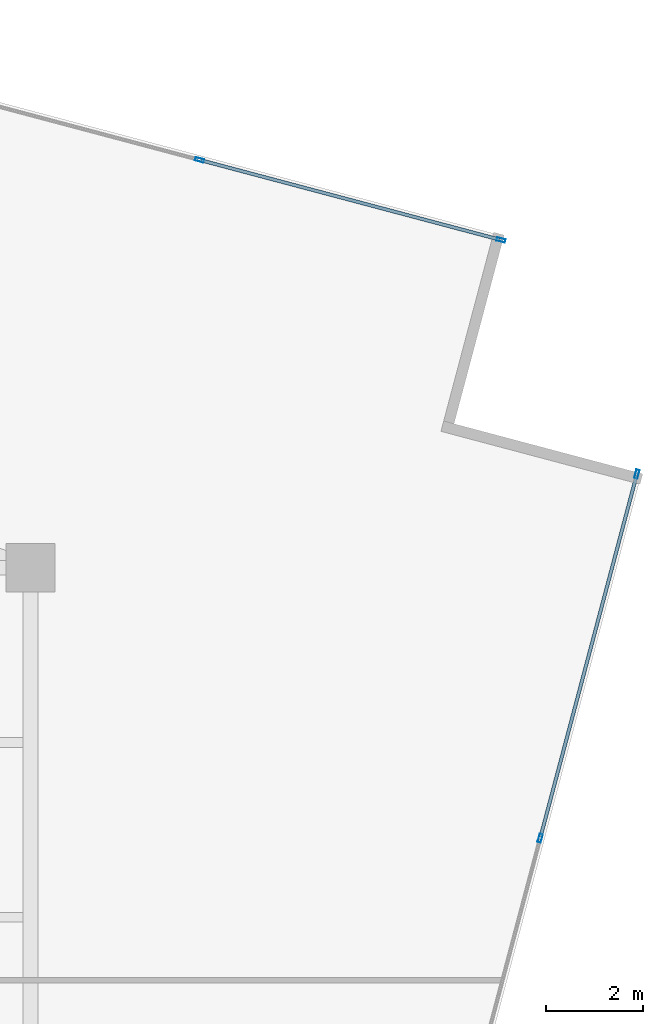
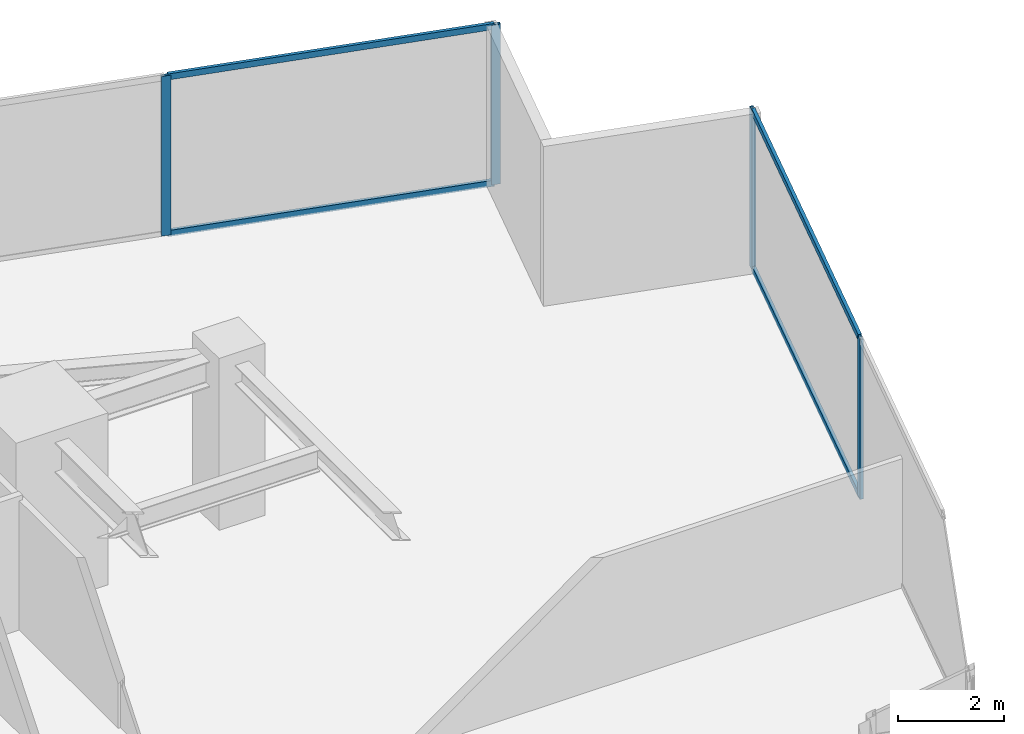
# One storey, part 20 of 27: 8 members, 2 elements without a shape of their own.
"""IFC4 building model written with IfcOpenShell, lengths in metres."""

from ifc_helpers import new_model, si_unit, direction, frame, origin, origin_2d, place, context, subcontext, project, spatial, hollow_rectangle, extrude, source, transform, mapped, material, material_profile, profile_set, type_object, type_shapes, element, aggregate, save


model = new_model("IFC4")

# Units and contexts
model_context = context("Model", 3, precision=1e-05, world=origin(), true_north=direction((0.0, 1.0)))
body_context = subcontext(model_context, "Body", "Model", "MODEL_VIEW")
ifc_project = project(units=[si_unit("LENGTHUNIT", "METRE"), si_unit("AREAUNIT", "SQUARE_METRE"), si_unit("VOLUMEUNIT", "CUBIC_METRE"), si_unit("PLANEANGLEUNIT", "RADIAN"), si_unit("MASSUNIT", "GRAM", prefix="KILO")], contexts=[model_context])

# Site, building, storey
site_placement = place(None, origin())
site = spatial("IfcSite", under=ifc_project, at=site_placement, CompositionType="ELEMENT")
building_placement = place(site_placement, origin())
building = spatial("IfcBuilding", under=site, at=building_placement, Name="Krantzveldt Concourse Tower", CompositionType="ELEMENT")
storey_placement = place(building_placement, frame((0.0, 0.0, 105.85009765625)))
storey = spatial("IfcBuildingStorey", under=building, at=storey_placement, Name="L25", CompositionType="ELEMENT", Elevation=105.85009765625)

# Curtain wall, members
ifc_material = material(Name="Anodised aluminium 6063-T6", Category="aluminium")
curtain_wall_type = type_object("IfcCurtainWallType", Name="CW2", PredefinedType="USERDEFINED", material=ifc_material)
curtain_wall_1_placement = place(storey_placement, origin())
curtain_wall_1 = element("IfcCurtainWall", 1, at=curtain_wall_1_placement, inside=storey, type_object=curtain_wall_type, Name="CW-L25-F11", ObjectType="UNITISED CURTAIN WALL", PredefinedType="USERDEFINED")
ifc_material_profile_1 = material_profile(ifc_material, hollow_rectangle(XDim=0.070068359375, YDim=0.179931640625, WallThickness=0.0048828125, at=origin_2d()), Name="Anodised aluminium 6063-T6", Category="aluminium")
ifc_profile_set_1 = profile_set([ifc_material_profile_1], Name="Anodised aluminium 6063-T6 - ALU-MULL 180x70x5")
member_type_1 = type_object("IfcMemberType", Name="CW-MUL-180", PredefinedType="MULLION", material=ifc_profile_set_1)
shared_shape_1 = source(origin(), body_context, "Body", "SweptSolid", [
    extrude(hollow_rectangle(XDim=0.070068359375, YDim=0.179931640625, WallThickness=0.0048828125, at=origin_2d()), origin(), (0.0, 0.0, 1.0), 3.669921875),
])
type_shapes(member_type_1, [shared_shape_1])
member_1_placement = place(storey_placement, frame((61.506591796875, 31.92724609375, 0.0), z_axis=(0.0, 0.0, 1.0), x_axis=(-0.966488210944, 0.256711001141, 0.0)))
member_1 = element("IfcMember", 2, at=member_1_placement, type_object=member_type_1, Name="CW-Z12 mullion 2", PredefinedType="MULLION", context=body_context, shape_type="MappedRepresentation", body=[
    mapped(shared_shape_1, transform((0.0, 0.0, 0.0), x_axis=(1.0, 0.0, 0.0), y_axis=(0.0, 1.0, 0.0), z_axis=(0.0, 0.0, 1.0), scale=1.0)),
])
member_2_placement = place(storey_placement, frame((63.5, 39.43212890625, 0.0), z_axis=(0.0, 0.0, 1.0), x_axis=(-0.966488210944, 0.256711001141, 0.0)))
member_2 = element("IfcMember", 3, at=member_2_placement, type_object=member_type_1, Name="CW-Z12 mullion 3", PredefinedType="MULLION", context=body_context, shape_type="MappedRepresentation", body=[
    mapped(shared_shape_1, transform((0.0, 0.0, 0.0), x_axis=(1.0, 0.0, 0.0), y_axis=(0.0, 1.0, 0.0), z_axis=(0.0, 0.0, 1.0), scale=1.0)),
])

curtain_wall_2_placement = place(storey_placement, origin())
curtain_wall_2 = element("IfcCurtainWall", 4, at=curtain_wall_2_placement, inside=storey, type_object=curtain_wall_type, Name="CW-L25-F14", ObjectType="UNITISED CURTAIN WALL", PredefinedType="USERDEFINED")
member_3_placement = place(storey_placement, frame((60.699951171875, 44.257568359375, 0.0), z_axis=(0.0, 0.0, 1.0), x_axis=(-0.256711093648, -0.966488186373, 0.0)))
member_3 = element("IfcMember", 5, at=member_3_placement, type_object=member_type_1, Name="CW-Z12 mullion 1", PredefinedType="MULLION", context=body_context, shape_type="MappedRepresentation", body=[
    mapped(shared_shape_1, transform((0.0, 0.0, 0.0), x_axis=(1.0, 0.0, 0.0), y_axis=(0.0, 1.0, 0.0), z_axis=(0.0, 0.0, 1.0), scale=1.0)),
])
member_4_placement = place(storey_placement, frame((54.48388671875, 45.90869140625, 0.0), z_axis=(0.0, 0.0, 1.0), x_axis=(-0.256711093648, -0.966488186373, 0.0)))
member_4 = element("IfcMember", 6, at=member_4_placement, type_object=member_type_1, Name="CW-Z12 mullion 2", PredefinedType="MULLION", context=body_context, shape_type="MappedRepresentation", body=[
    mapped(shared_shape_1, transform((0.0, 0.0, 0.0), x_axis=(1.0, 0.0, 0.0), y_axis=(0.0, 1.0, 0.0), z_axis=(0.0, 0.0, 1.0), scale=1.0)),
])
ifc_material_profile_2 = material_profile(ifc_material, hollow_rectangle(XDim=0.070068359375, YDim=0.139892578125, WallThickness=0.0048828125, at=origin_2d()), Name="Anodised aluminium 6063-T6", Category="aluminium")
ifc_profile_set_2 = profile_set([ifc_material_profile_2], Name="Anodised aluminium 6063-T6 - ALU-TRAN 140x70x5")
member_type_2 = type_object("IfcMemberType", Name="CW-TRN-150", PredefinedType="USERDEFINED", material=ifc_profile_set_2)
shared_shape_2 = source(origin(), body_context, "Body", "SweptSolid", [
    extrude(hollow_rectangle(XDim=0.070068359375, YDim=0.139892578125, WallThickness=0.0048828125, at=origin_2d()), origin(), (0.0, 0.0, 1.0), 6.36181640625),
])
member_5_placement = place(storey_placement, frame((60.666259765625, 44.2666015625, 0.034912109375), z_axis=(-0.96649241661, 0.256695166754, 0.0), x_axis=(-0.256695166754, -0.96649241661, 0.0)))
member_5 = element("IfcMember", 7, at=member_5_placement, type_object=member_type_2, Name="CW-Z12 transom 1.1", ObjectType="TRANSOM", PredefinedType="USERDEFINED", context=body_context, shape_type="MappedRepresentation", body=[
    mapped(shared_shape_2, transform((0.0, 0.0, 0.0), x_axis=(1.0, 0.0, 0.0), y_axis=(0.0, 1.0, 0.0), z_axis=(0.0, 0.0, 1.0), scale=1.0)),
])
member_6_placement = place(storey_placement, frame((60.666259765625, 44.2666015625, 3.635009765625), z_axis=(-0.96649241661, 0.256695166754, 0.0), x_axis=(-0.256695166754, -0.96649241661, 0.0)))
member_6 = element("IfcMember", 8, at=member_6_placement, type_object=member_type_2, Name="CW-Z12 transom 1.2", ObjectType="TRANSOM", PredefinedType="USERDEFINED", context=body_context, shape_type="MappedRepresentation", body=[
    mapped(shared_shape_2, transform((0.0, 0.0, 0.0), x_axis=(1.0, 0.0, 0.0), y_axis=(0.0, 1.0, 0.0), z_axis=(0.0, 0.0, 1.0), scale=1.0)),
])
aggregate(curtain_wall_2, [member_3, member_4, member_5, member_6])

# Member
shared_shape_3 = source(origin(), body_context, "Body", "SweptSolid", [
    extrude(hollow_rectangle(XDim=0.070068359375, YDim=0.139892578125, WallThickness=0.0048828125, at=origin_2d()), origin(), (0.0, 0.0, 1.0), 7.69482421875),
])
type_shapes(member_type_2, [shared_shape_2, shared_shape_3])
member_7_placement = place(storey_placement, frame((61.515625, 31.961181640625, 0.034912109375), z_axis=(0.256708719645, 0.966488816934, 0.0), x_axis=(-0.966488816934, 0.256708719645, 0.0)))
member_7 = element("IfcMember", 9, at=member_7_placement, type_object=member_type_2, Name="CW-Z12 transom 2.1", ObjectType="TRANSOM", PredefinedType="USERDEFINED", context=body_context, shape_type="MappedRepresentation", body=[
    mapped(shared_shape_3, transform((0.0, 0.0, 0.0), x_axis=(1.0, 0.0, 0.0), y_axis=(0.0, 1.0, 0.0), z_axis=(0.0, 0.0, 1.0), scale=1.0)),
])

member_8_placement = place(storey_placement, frame((61.515625, 31.961181640625, 3.635009765625), z_axis=(0.256708719645, 0.966488816934, 0.0), x_axis=(-0.966488816934, 0.256708719645, 0.0)))
member_8 = element("IfcMember", 10, at=member_8_placement, type_object=member_type_2, Name="CW-Z12 transom 2.2", ObjectType="TRANSOM", PredefinedType="USERDEFINED", context=body_context, shape_type="MappedRepresentation", body=[
    mapped(shared_shape_3, transform((0.0, 0.0, 0.0), x_axis=(1.0, 0.0, 0.0), y_axis=(0.0, 1.0, 0.0), z_axis=(0.0, 0.0, 1.0), scale=1.0)),
])

aggregate(curtain_wall_1, [member_1, member_2, member_7, member_8])

save(model, "model.ifc")
